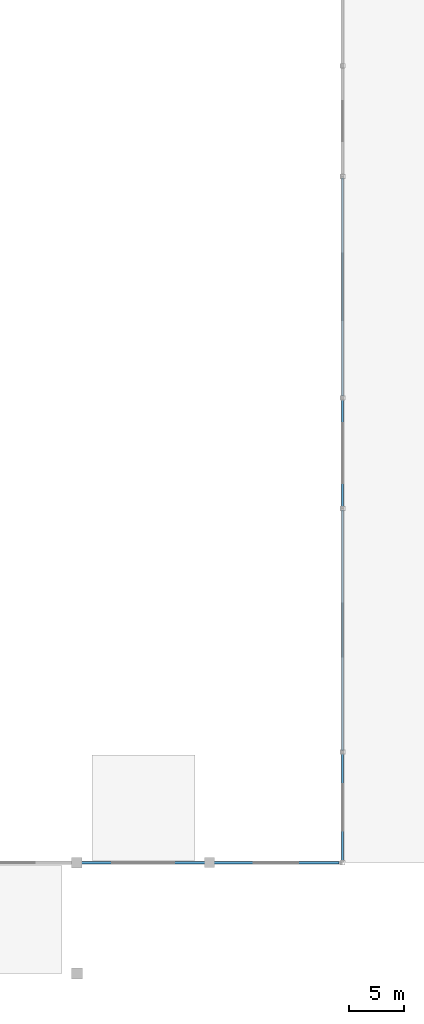
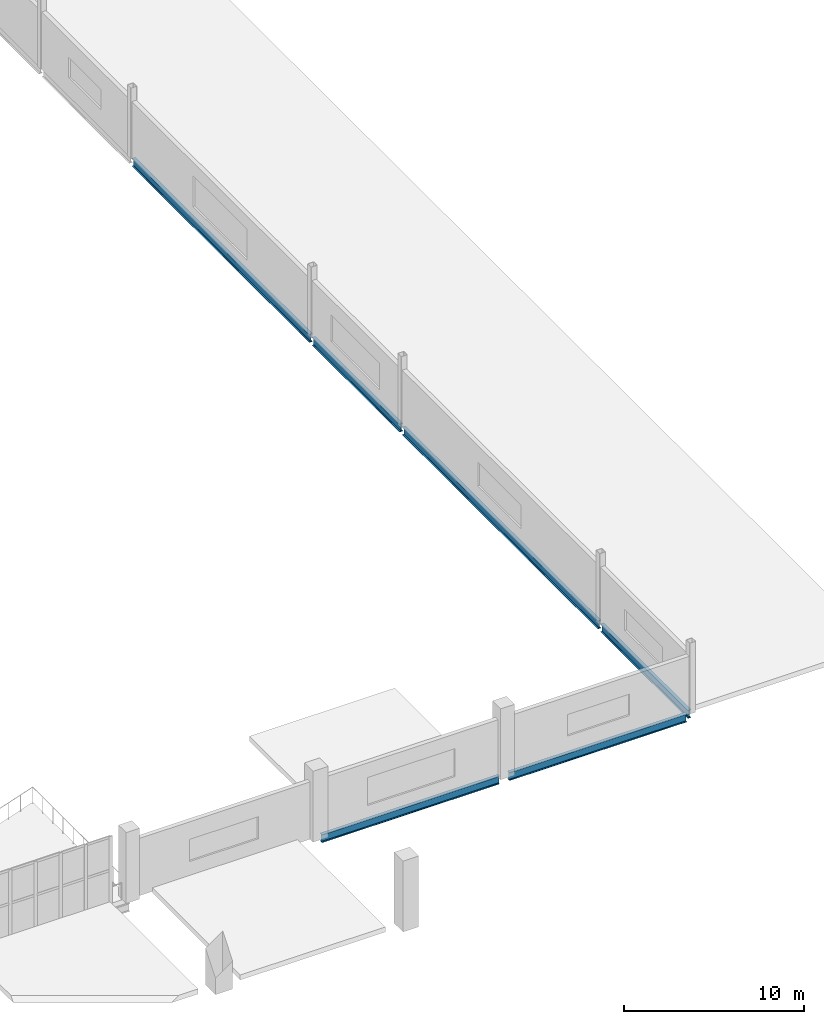
# One storey, part 18 of 49: 6 beams.
"""IFC4 building model written with IfcOpenShell, lengths in metres."""

from ifc_helpers import new_model, si_unit, direction, frame, origin, origin_2d, place, context, subcontext, project, spatial, i_section, extrude, material, material_profile, profile_set, type_object, element, save


model = new_model("IFC4")

# Units and contexts
model_context = context("Model", 3, precision=1e-05, world=origin(), true_north=direction((0.0, 1.0)))
body_context = subcontext(model_context, "Body", "Model", "MODEL_VIEW")
ifc_project = project(units=[si_unit("LENGTHUNIT", "METRE"), si_unit("AREAUNIT", "SQUARE_METRE"), si_unit("VOLUMEUNIT", "CUBIC_METRE"), si_unit("PLANEANGLEUNIT", "RADIAN"), si_unit("MASSUNIT", "GRAM", prefix="KILO")], contexts=[model_context])

# Site, building, storey
site_placement = place(None, origin())
site = spatial("IfcSite", under=ifc_project, at=site_placement, CompositionType="ELEMENT")
building_placement = place(site_placement, origin())
building = spatial("IfcBuilding", under=site, at=building_placement, Name="Brinegate Civic Arena", CompositionType="ELEMENT")
storey_placement = place(building_placement, frame((0.0, 0.0, 24.60009765625)))
storey = spatial("IfcBuildingStorey", under=building, at=storey_placement, Name="L05", CompositionType="ELEMENT", Elevation=24.60009765625)

# Beams
ifc_material = material(Name="Steel S355", Category="steel")
ifc_material_profile = material_profile(ifc_material, i_section(OverallWidth=0.2119140625, OverallDepth=0.5439453125, WebThickness=0.012939453125, FlangeThickness=0.02099609375, FilletRadius=0.01611328125, at=origin_2d()), Name="W530X123")
ifc_profile_set = profile_set([ifc_material_profile], Name="Steel S355")
beam_type = type_object("IfcBeamType", Name="SPANDREL-W530X123", PredefinedType="SPANDREL", material=ifc_profile_set)
beam_1_placement = place(storey_placement, frame((156.0, 10.14990234375, -0.272216796875), z_axis=(0.0, 1.0, 0.0), x_axis=(-1.0, 0.0, 0.0)))
element("IfcBeam", 1, at=beam_1_placement, inside=storey, type_object=beam_type, Name="East Drum L05 Spandrel Beam EDRM-1", PredefinedType="SPANDREL", context=body_context, shape_type="SweptSolid", body=[
    extrude(i_section(OverallWidth=0.2119140625, OverallDepth=0.5439453125, WebThickness=0.012939453125, FlangeThickness=0.02099609375, FilletRadius=0.01611328125, at=origin_2d()), origin(), (0.0, 0.0, 1.0), 9.7001953125),
])
beam_2_placement = place(storey_placement, frame((156.0, 20.14990234375, -0.272216796875), z_axis=(0.0, 1.0, 0.0), x_axis=(-1.0, 0.0, 0.0)))
element("IfcBeam", 2, at=beam_2_placement, inside=storey, type_object=beam_type, Name="East Drum L05 Spandrel Beam EDRM-2", PredefinedType="SPANDREL", context=body_context, shape_type="SweptSolid", body=[
    extrude(i_section(OverallWidth=0.2119140625, OverallDepth=0.5439453125, WebThickness=0.012939453125, FlangeThickness=0.02099609375, FilletRadius=0.01611328125, at=origin_2d()), origin(), (0.0, 0.0, 1.0), 21.7001953125),
])
beam_3_placement = place(storey_placement, frame((156.0, 42.14990234375, -0.272216796875), z_axis=(0.0, 1.0, 0.0), x_axis=(-1.0, 0.0, 0.0)))
element("IfcBeam", 3, at=beam_3_placement, inside=storey, type_object=beam_type, Name="East Drum L05 Spandrel Beam EDRM-3", PredefinedType="SPANDREL", context=body_context, shape_type="SweptSolid", body=[
    extrude(i_section(OverallWidth=0.2119140625, OverallDepth=0.5439453125, WebThickness=0.012939453125, FlangeThickness=0.02099609375, FilletRadius=0.01611328125, at=origin_2d()), origin(), (0.0, 0.0, 1.0), 9.7001953125),
])
beam_4_placement = place(storey_placement, frame((156.0, 52.14990234375, -0.272216796875), z_axis=(0.0, 1.0, 0.0), x_axis=(-1.0, 0.0, 0.0)))
element("IfcBeam", 4, at=beam_4_placement, inside=storey, type_object=beam_type, Name="East Drum L05 Spandrel Beam EDRM-4", PredefinedType="SPANDREL", context=body_context, shape_type="SweptSolid", body=[
    extrude(i_section(OverallWidth=0.2119140625, OverallDepth=0.5439453125, WebThickness=0.012939453125, FlangeThickness=0.02099609375, FilletRadius=0.01611328125, at=origin_2d()), origin(), (0.0, 0.0, 1.0), 19.7001953125),
])
for number, where, z_axis, x_axis, name in (
    (5, (132.31005859375, 10.0, -0.272216796875), (1.0, 0.0, 0.0), (0.0, 1.0, 0.0), "Gable L05 Spandrel Beam GBL-S07"),
    (6, (144.31005859375, 10.0, -0.272216796875), (1.0, 0.0, 0.0), (0.0, 1.0, 0.0), "Gable L05 Spandrel Beam GBL-S08"),
):
    element("IfcBeam", number, at=place(storey_placement, frame(where, z_axis=z_axis, x_axis=x_axis)), inside=storey, type_object=beam_type, Name=name, PredefinedType="SPANDREL", context=body_context, shape_type="SweptSolid", body=[
        extrude(i_section(OverallWidth=0.2119140625, OverallDepth=0.5439453125, WebThickness=0.012939453125, FlangeThickness=0.02099609375, FilletRadius=0.01611328125, at=origin_2d()), origin(), (0.0, 0.0, 1.0), 11.3798828125),
    ])

save(model, "model.ifc")
